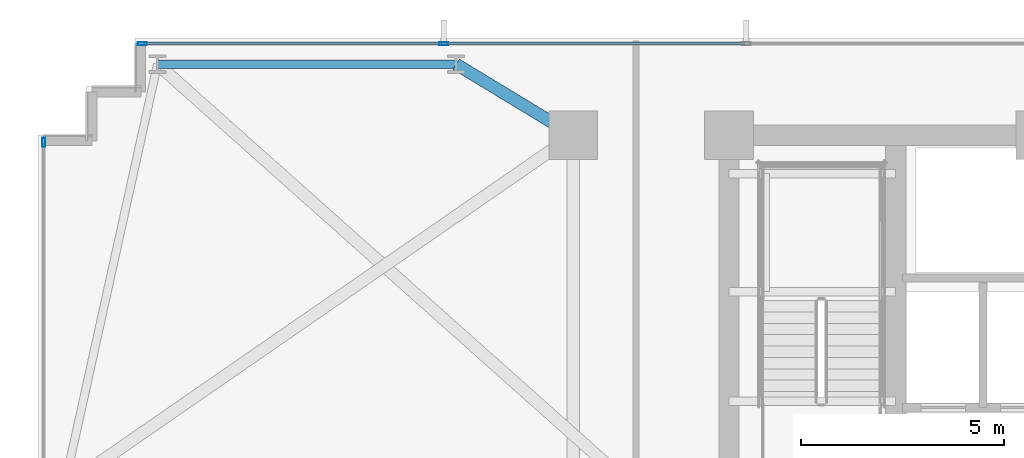
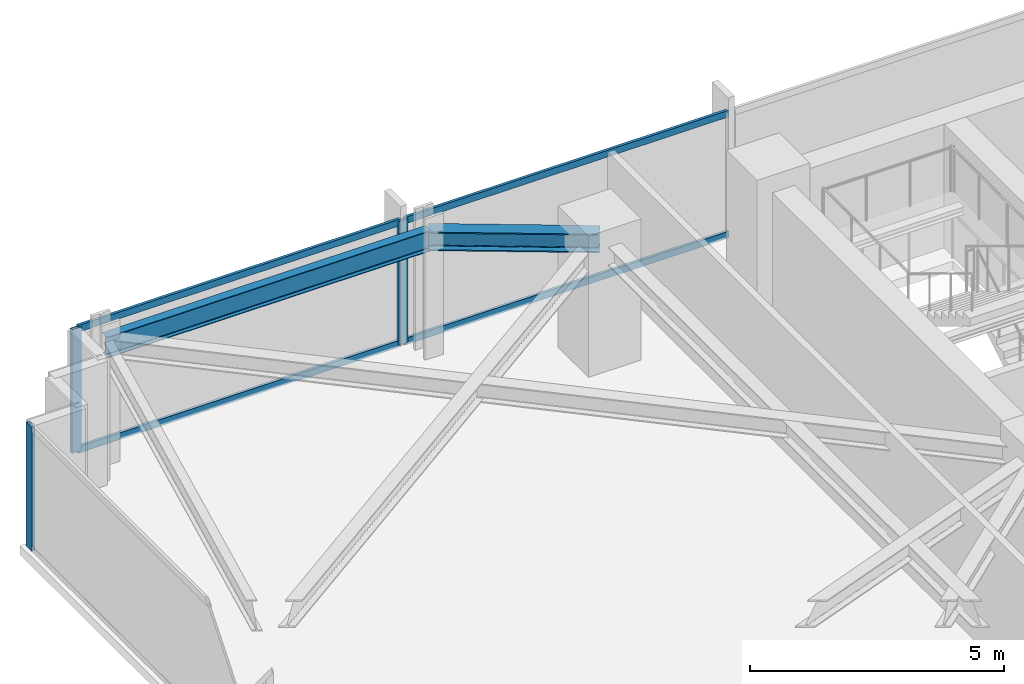
# One storey, part 17 of 32: 7 members, 2 beams, 2 elements without a shape of their own.
"""IFC4 building model written with IfcOpenShell, lengths in metres."""

from ifc_helpers import new_model, si_unit, direction, frame, origin, origin_2d, place, context, subcontext, project, spatial, hollow_rectangle, i_section, extrude, material, material_profile, profile_set, type_object, element, aggregate, save


model = new_model("IFC4")

# Units and contexts
model_context = context("Model", 3, precision=1e-05, world=origin(), true_north=direction((0.0, 1.0)))
body_context = subcontext(model_context, "Body", "Model", "MODEL_VIEW")
ifc_project = project(units=[si_unit("LENGTHUNIT", "METRE"), si_unit("AREAUNIT", "SQUARE_METRE"), si_unit("VOLUMEUNIT", "CUBIC_METRE"), si_unit("PLANEANGLEUNIT", "RADIAN"), si_unit("MASSUNIT", "GRAM", prefix="KILO")], contexts=[model_context])

# Site, building, storey
site_placement = place(None, origin())
site = spatial("IfcSite", under=ifc_project, at=site_placement, CompositionType="ELEMENT")
building_placement = place(site_placement, origin())
building = spatial("IfcBuilding", under=site, at=building_placement, Name="Yelkora Congress Tower", CompositionType="ELEMENT")
storey_placement = place(building_placement, frame((0.0, 0.0, 74.60009765625)))
storey = spatial("IfcBuildingStorey", under=building, at=storey_placement, Name="L19", CompositionType="ELEMENT", Elevation=74.60009765625)

# Beams
ifc_material_1 = material(Name="Steel S355J2", Category="steel")
ifc_material_profile_1 = material_profile(ifc_material_1, i_section(OverallWidth=0.300048828125, OverallDepth=0.449951171875, WebThickness=0.013916015625, FlangeThickness=0.02587890625, FilletRadius=0.027099609375, at=origin_2d()), Name="HEB 450")
ifc_profile_set_1 = profile_set([ifc_material_profile_1], Name="Steel S355J2")
beam_type_1 = type_object("IfcBeamType", Name="BM-GIRD-HEB450", PredefinedType="BEAM", material=ifc_profile_set_1)
beam_1_placement = place(storey_placement, frame((16.3125, 47.949951171875, 2.7548828125), z_axis=(0.855193946581, -0.518308126244, 0.0), x_axis=(0.518308126244, 0.855193946581, 0.0)))
element("IfcBeam", 1, at=beam_1_placement, inside=storey, type_object=beam_type_1, Name="L19 Primary Frame Girder N02", PredefinedType="BEAM", context=body_context, shape_type="SweptSolid", body=[
    extrude(i_section(OverallWidth=0.300048828125, OverallDepth=0.449951171875, WebThickness=0.013916015625, FlangeThickness=0.02587890625, FilletRadius=0.027099609375, at=origin_2d()), origin(), (0.0, 0.0, 1.0), 3.37646484375),
])
ifc_material_profile_2 = material_profile(ifc_material_1, i_section(OverallWidth=0.199951171875, OverallDepth=0.5, WebThickness=0.01025390625, FlangeThickness=0.01611328125, FilletRadius=0.02099609375, at=origin_2d()), Name="IPE 500")
ifc_profile_set_2 = profile_set([ifc_material_profile_2], Name="Steel S355J2")
beam_type_2 = type_object("IfcBeamType", Name="BM-SPAN-IPE500", PredefinedType="SPANDREL", material=ifc_profile_set_2)
beam_2_placement = place(storey_placement, frame((16.3125, 47.949951171875, 2.72998046875), z_axis=(-1.0, 0.0, 0.0), x_axis=(0.0, -1.0, 0.0)))
element("IfcBeam", 2, at=beam_2_placement, inside=storey, type_object=beam_type_2, Name="L19 Perimeter Beam 16", PredefinedType="SPANDREL", context=body_context, shape_type="SweptSolid", body=[
    extrude(i_section(OverallWidth=0.199951171875, OverallDepth=0.5, WebThickness=0.01025390625, FlangeThickness=0.01611328125, FilletRadius=0.02099609375, at=origin_2d()), origin(), (0.0, 0.0, 1.0), 7.362548828125),
])

# Curtain wall, member
ifc_material_2 = material(Name="Anodised aluminium and insulated glass", Category="aluminium")
curtain_wall_type = type_object("IfcCurtainWallType", Name="CW-SYS-B1", PredefinedType="NOTDEFINED", material=ifc_material_2)
curtain_wall_1_placement = place(storey_placement, origin())
curtain_wall_1 = element("IfcCurtainWall", 3, at=curtain_wall_1_placement, inside=storey, type_object=curtain_wall_type, Name="L19 Unitised Curtain Wall 5", PredefinedType="NOTDEFINED")
ifc_material_3 = material(Name="Anodised aluminium 6063-T6", Category="aluminium")
ifc_material_profile_3 = material_profile(ifc_material_3, hollow_rectangle(XDim=0.074951171875, YDim=0.219970703125, WallThickness=0.0048828125, at=origin_2d()), Name="ALU 75x220x5")
ifc_profile_set_3 = profile_set([ifc_material_profile_3], Name="Anodised aluminium 6063-T6")
member_type_1 = type_object("IfcMemberType", Name="MEM-ML-B1", PredefinedType="MULLION", material=ifc_profile_set_3)
member_1_placement = place(storey_placement, frame((6.139892578125, 46.0224609375, 0.0), z_axis=(0.0, 0.0, 1.0), x_axis=(-1.0, 0.0, 0.0)))
member_1 = element("IfcMember", 4, at=member_1_placement, type_object=member_type_1, Name="CW-B1 mullion 5", PredefinedType="MULLION", context=body_context, shape_type="SweptSolid", body=[
    extrude(hollow_rectangle(XDim=0.074951171875, YDim=0.219970703125, WallThickness=0.0048828125, at=origin_2d()), origin(), (0.0, 0.0, 1.0), 2.97998046875),
])
aggregate(curtain_wall_1, [member_1])

# Curtain wall, members
curtain_wall_2_placement = place(storey_placement, origin())
curtain_wall_2 = element("IfcCurtainWall", 5, at=curtain_wall_2_placement, inside=storey, type_object=curtain_wall_type, Name="L19 Unitised Curtain Wall 10", PredefinedType="NOTDEFINED")
member_2_placement = place(storey_placement, frame((8.577392578125, 48.4599609375, 0.0), z_axis=(0.0, 0.0, 1.0), x_axis=(0.0, 1.0, 0.0)))
member_2 = element("IfcMember", 6, at=member_2_placement, type_object=member_type_1, Name="CW-B1 mullion 1", PredefinedType="MULLION", context=body_context, shape_type="SweptSolid", body=[
    extrude(hollow_rectangle(XDim=0.074951171875, YDim=0.219970703125, WallThickness=0.0048828125, at=origin_2d()), origin(), (0.0, 0.0, 1.0), 2.97998046875),
])
member_3_placement = place(storey_placement, frame((16.0048828125, 48.4599609375, 0.0), z_axis=(0.0, 0.0, 1.0), x_axis=(0.0, 1.0, 0.0)))
member_3 = element("IfcMember", 7, at=member_3_placement, type_object=member_type_1, Name="CW-B1 mullion 2", PredefinedType="MULLION", context=body_context, shape_type="SweptSolid", body=[
    extrude(hollow_rectangle(XDim=0.074951171875, YDim=0.219970703125, WallThickness=0.0048828125, at=origin_2d()), origin(), (0.0, 0.0, 1.0), 2.97998046875),
])
ifc_material_profile_4 = material_profile(ifc_material_3, hollow_rectangle(XDim=0.06494140625, YDim=0.159912109375, WallThickness=0.00390625, at=origin_2d()), Name="ALU 65x160x4")
ifc_profile_set_4 = profile_set([ifc_material_profile_4], Name="Anodised aluminium 6063-T6")
member_type_2 = type_object("IfcMemberType", Name="MEM-TR-B1", PredefinedType="USERDEFINED", material=ifc_profile_set_4)
member_4_placement = place(storey_placement, frame((8.614990234375, 48.4599609375, 0.032470703125), z_axis=(1.0, 0.0, 0.0), x_axis=(0.0, 1.0, 0.0)))
member_4 = element("IfcMember", 8, at=member_4_placement, type_object=member_type_2, Name="CW-B1 transom 1.1", ObjectType="TRANSOM", PredefinedType="USERDEFINED", context=body_context, shape_type="SweptSolid", body=[
    extrude(hollow_rectangle(XDim=0.06494140625, YDim=0.159912109375, WallThickness=0.00390625, at=origin_2d()), origin(), (0.0, 0.0, 1.0), 7.3525390625),
])
member_5_placement = place(storey_placement, frame((8.614990234375, 48.4599609375, 2.947509765625), z_axis=(1.0, 0.0, 0.0), x_axis=(0.0, 1.0, 0.0)))
member_5 = element("IfcMember", 9, at=member_5_placement, type_object=member_type_2, Name="CW-B1 transom 1.2", ObjectType="TRANSOM", PredefinedType="USERDEFINED", context=body_context, shape_type="SweptSolid", body=[
    extrude(hollow_rectangle(XDim=0.06494140625, YDim=0.159912109375, WallThickness=0.00390625, at=origin_2d()), origin(), (0.0, 0.0, 1.0), 7.3525390625),
])
member_6_placement = place(storey_placement, frame((16.04248046875, 48.4599609375, 0.032470703125), z_axis=(1.0, 0.0, 0.0), x_axis=(0.0, 1.0, 0.0)))
member_6 = element("IfcMember", 10, at=member_6_placement, type_object=member_type_2, Name="CW-B1 transom 2.1", ObjectType="TRANSOM", PredefinedType="USERDEFINED", context=body_context, shape_type="SweptSolid", body=[
    extrude(hollow_rectangle(XDim=0.06494140625, YDim=0.159912109375, WallThickness=0.00390625, at=origin_2d()), origin(), (0.0, 0.0, 1.0), 7.39013671875),
])
member_7_placement = place(storey_placement, frame((16.04248046875, 48.4599609375, 2.947509765625), z_axis=(1.0, 0.0, 0.0), x_axis=(0.0, 1.0, 0.0)))
member_7 = element("IfcMember", 11, at=member_7_placement, type_object=member_type_2, Name="CW-B1 transom 2.2", ObjectType="TRANSOM", PredefinedType="USERDEFINED", context=body_context, shape_type="SweptSolid", body=[
    extrude(hollow_rectangle(XDim=0.06494140625, YDim=0.159912109375, WallThickness=0.00390625, at=origin_2d()), origin(), (0.0, 0.0, 1.0), 7.39013671875),
])
aggregate(curtain_wall_2, [member_2, member_3, member_4, member_5, member_6, member_7])

save(model, "model.ifc")
